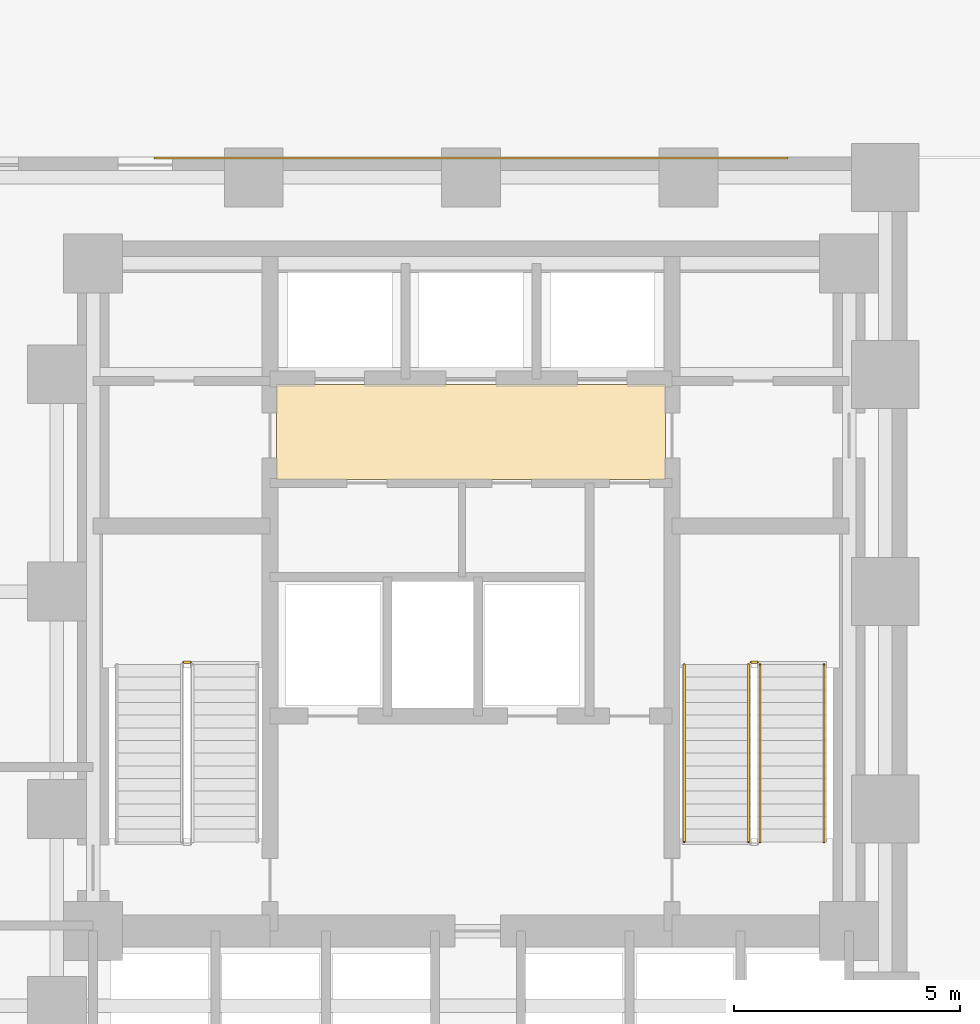
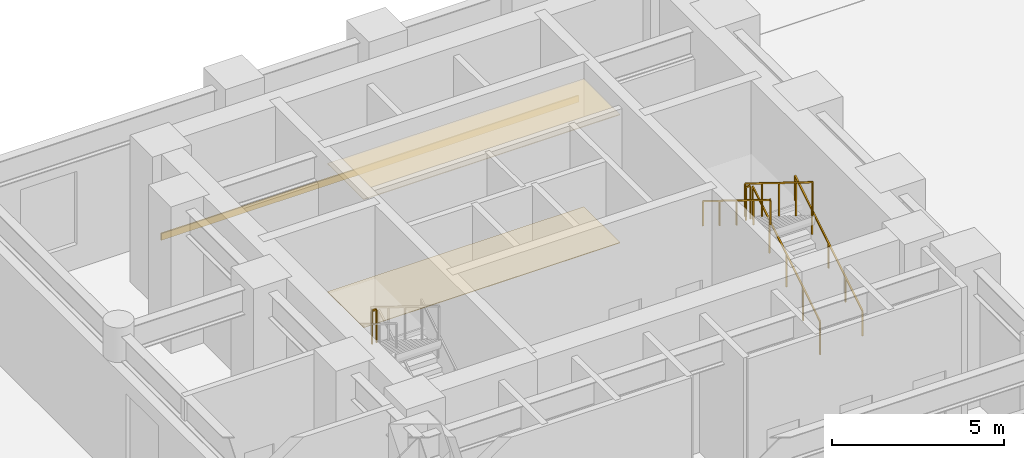
# One storey, part 14 of 16: 6 railings, 3 coverings.
"""IFC4 building model written with IfcOpenShell, lengths in metres."""

from ifc_helpers import new_model, si_unit, direction, frame, origin, origin_2d, place, context, subcontext, project, spatial, polyline, rectangle, outline, extrude, material, layer, layer_set, type_object, element, save


model = new_model("IFC4")

# Units and contexts
model_context = context("Model", 3, precision=1e-05, world=origin(), true_north=direction((0.0, 1.0)))
body_context = subcontext(model_context, "Body", "Model", "MODEL_VIEW")
ifc_project = project(units=[si_unit("LENGTHUNIT", "METRE"), si_unit("AREAUNIT", "SQUARE_METRE"), si_unit("VOLUMEUNIT", "CUBIC_METRE"), si_unit("PLANEANGLEUNIT", "RADIAN"), si_unit("MASSUNIT", "GRAM", prefix="KILO")], contexts=[model_context])

# Site, building, storey
site_placement = place(None, origin())
site = spatial("IfcSite", under=ifc_project, at=site_placement, CompositionType="ELEMENT")
building_placement = place(site_placement, origin())
building = spatial("IfcBuilding", under=site, at=building_placement, Name="Orvandelia Arch Residences", CompositionType="ELEMENT")
storey_placement = place(building_placement, origin())
storey = spatial("IfcBuildingStorey", under=building, at=storey_placement, Name="L00", CompositionType="ELEMENT", Elevation=0.0)

# Coverings
ifc_material_1 = material(Name="Perforated Acoustic Mineral-Fibre Ceiling")
ifc_layer_1 = layer(ifc_material_1, 0.02490234375, Name="Perforated Acoustic Mineral-Fibre Ceiling")
ifc_layer_set_1 = layer_set([ifc_layer_1], Name="Perforated Acoustic Mineral-Fibre Ceiling")
covering_type_1 = type_object("IfcCoveringType", Name="COV-CEIL-ACOUSTIC", PredefinedType="CEILING", material=ifc_layer_set_1)
covering_1_placement = place(storey_placement, frame((0.0, 0.0, 4.5400390625)))
element("IfcCovering", 1, at=covering_1_placement, inside=storey, type_object=covering_type_1, Name="Lift Hall Suspended Acoustic Ceiling L00", PredefinedType="CEILING", context=body_context, shape_type="SweptSolid", body=[
    extrude(outline(polyline([(10.10009765625, 40.8798828125), (18.699951171875, 40.8798828125), (18.699951171875, 42.97998046875), (10.10009765625, 42.97998046875), (10.10009765625, 40.8798828125)])), origin(), (0.0, 0.0, 1.0), 0.02490234375),
])
ifc_material_2 = material(Name="Honed Busan Granite Tile", Category="masonry")
ifc_layer_2 = layer(ifc_material_2, 0.02490234375, Name="Honed Busan Granite Tile", Category="masonry")
ifc_layer_set_2 = layer_set([ifc_layer_2], Name="Honed Busan Granite Tile")
covering_type_2 = type_object("IfcCoveringType", Name="COV-FLOOR-STONE", PredefinedType="SKIRTINGBOARD", material=ifc_layer_set_2)
covering_2_placement = place(storey_placement, origin())
element("IfcCovering", 2, at=covering_2_placement, inside=storey, type_object=covering_type_2, Name="Lift Hall Finish Flooring L00", PredefinedType="SKIRTINGBOARD", context=body_context, shape_type="SweptSolid", body=[
    extrude(outline(polyline([(10.10009765625, 40.8798828125), (18.699951171875, 40.8798828125), (18.699951171875, 42.97998046875), (10.10009765625, 42.97998046875), (10.10009765625, 40.8798828125)])), origin(), (0.0, 0.0, 1.0), 0.02001953125),
])
ifc_material_3 = material(Name="Coral-Limestone Architectural Cladding", Category="masonry")
ifc_layer_3 = layer(ifc_material_3, 0.044921875, Name="Coral-Limestone Architectural Cladding", Category="masonry")
ifc_layer_set_3 = layer_set([ifc_layer_3], Name="Coral-Limestone Architectural Cladding")
covering_type_3 = type_object("IfcCoveringType", Name="COV-STONE-CLAD", PredefinedType="CLADDING", material=ifc_layer_set_3)
covering_3_placement = place(storey_placement, frame((14.39990234375, 47.97509765625, -0.240234375), z_axis=(0.0, 0.0, 1.0), x_axis=(1.0, 0.0, 0.0)))
element("IfcCovering", 3, at=covering_3_placement, inside=storey, type_object=covering_type_3, Name="Coral-Limestone Slab-Edge Cladding Band L00", PredefinedType="CLADDING", context=body_context, shape_type="SweptSolid", body=[
    extrude(rectangle(XDim=14.0, YDim=0.044921875, at=origin_2d()), origin(), (0.0, 0.0, 1.0), 0.239990234375),
])

# Railings
ifc_material_4 = material(Name="Brushed Stainless Steel 304", Category="steel")
railing_type_1 = type_object("IfcRailingType", Name="RL-STAIR-GD1120", PredefinedType="GUARDRAIL", material=ifc_material_4)
railing_1_placement = place(storey_placement, frame((8.199951171875, 36.840087890625, 2.60009765625)))
element("IfcRailing", 4, at=railing_1_placement, inside=storey, type_object=railing_type_1, Name="L00 ST-1 stair guard 2", PredefinedType="GUARDRAIL", context=body_context, shape_type="SweptSolid", body=[
    extrude(rectangle(XDim=0.048095703125, YDim=0.048095703125, at=origin_2d()), frame((0.0, 0.0, 1.17578125), z_axis=(-1.0, 0.0, 0.0), x_axis=(0.0, -1.0, 0.0)), (0.0, 0.0, 1.0), 0.14990234375),
    extrude(rectangle(XDim=0.0419921875, YDim=0.0419921875, at=origin_2d()), origin(), (0.0, 0.0, 1.0), 1.15185546875),
    extrude(rectangle(XDim=0.0419921875, YDim=0.0419921875, at=origin_2d()), frame((-0.14990234375, 0.0, 0.0)), (0.0, 0.0, 1.0), 1.15185546875),
])
railing_2_placement = place(storey_placement, frame((20.780029296875, 32.8701171875, 0.17333984375)))
element("IfcRailing", 5, at=railing_2_placement, inside=storey, type_object=railing_type_1, Name="L00 ST-2 stair guard 1", PredefinedType="GUARDRAIL", context=body_context, shape_type="SweptSolid", body=[
    extrude(rectangle(XDim=0.048095703125, YDim=0.048095703125, at=origin_2d()), frame((0.0, 0.0, 1.17578125), z_axis=(0.0, 0.850251603719, 0.526376491091), x_axis=(-1.0, 0.0, 0.0)), (0.0, 0.0, 1.0), 4.6103515625),
    extrude(rectangle(XDim=0.0419921875, YDim=0.0419921875, at=origin_2d()), origin(), (0.0, 0.0, 1.0), 1.15185546875),
    extrude(rectangle(XDim=0.0419921875, YDim=0.0419921875, at=origin_2d()), frame((0.0, 0.97998046875, 0.606689453125)), (0.0, 0.0, 1.0), 1.15185546875),
    extrude(rectangle(XDim=0.0419921875, YDim=0.0419921875, at=origin_2d()), frame((0.0, 1.9599609375, 1.21337890625)), (0.0, 0.0, 1.0), 1.15185546875),
    extrude(rectangle(XDim=0.0419921875, YDim=0.0419921875, at=origin_2d()), frame((0.0, 2.93994140625, 1.820068359375)), (0.0, 0.0, 1.0), 1.15185546875),
    extrude(rectangle(XDim=0.0419921875, YDim=0.0419921875, at=origin_2d()), frame((0.0, 3.919921875, 2.4267578125)), (0.0, 0.0, 1.0), 1.15185546875),
])
railing_3_placement = place(storey_placement, frame((20.72998046875, 36.840087890625, 2.60009765625)))
element("IfcRailing", 6, at=railing_3_placement, inside=storey, type_object=railing_type_1, Name="L00 ST-2 stair guard 2", PredefinedType="GUARDRAIL", context=body_context, shape_type="SweptSolid", body=[
    extrude(rectangle(XDim=0.048095703125, YDim=0.048095703125, at=origin_2d()), frame((0.0, 0.0, 1.17578125), z_axis=(-1.0, 0.0, 0.0), x_axis=(0.0, -1.0, 0.0)), (0.0, 0.0, 1.0), 0.14990234375),
    extrude(rectangle(XDim=0.0419921875, YDim=0.0419921875, at=origin_2d()), origin(), (0.0, 0.0, 1.0), 1.15185546875),
    extrude(rectangle(XDim=0.0419921875, YDim=0.0419921875, at=origin_2d()), frame((-0.14990234375, 0.0, 0.0)), (0.0, 0.0, 1.0), 1.15185546875),
])
railing_4_placement = place(storey_placement, frame((20.530029296875, 36.7900390625, 2.7734375)))
element("IfcRailing", 7, at=railing_4_placement, inside=storey, type_object=railing_type_1, Name="L00 ST-2 stair guard 3", PredefinedType="GUARDRAIL", context=body_context, shape_type="SweptSolid", body=[
    extrude(rectangle(XDim=0.048095703125, YDim=0.048095703125, at=origin_2d()), frame((0.0, 0.0, 1.17578125), z_axis=(0.0, -0.850275303828, 0.526338206574), x_axis=(1.0, 0.0, 0.0)), (0.0, 0.0, 1.0), 4.610107421875),
    extrude(rectangle(XDim=0.0419921875, YDim=0.0419921875, at=origin_2d()), origin(), (0.0, 0.0, 1.0), 1.15185546875),
    extrude(rectangle(XDim=0.0419921875, YDim=0.0419921875, at=origin_2d()), frame((0.0, -0.97998046875, 0.606689453125)), (0.0, 0.0, 1.0), 1.15185546875),
    extrude(rectangle(XDim=0.0419921875, YDim=0.0419921875, at=origin_2d()), frame((0.0, -1.9599609375, 1.21337890625)), (0.0, 0.0, 1.0), 1.15185546875),
    extrude(rectangle(XDim=0.0419921875, YDim=0.0419921875, at=origin_2d()), frame((0.0, -2.93994140625, 1.81982421875)), (0.0, 0.0, 1.0), 1.15185546875),
    extrude(rectangle(XDim=0.0419921875, YDim=0.0419921875, at=origin_2d()), frame((0.0, -3.919921875, 2.426513671875)), (0.0, 0.0, 1.0), 1.15185546875),
])
railing_type_2 = type_object("IfcRailingType", Name="RL-STAIR-HR920", PredefinedType="HANDRAIL", material=ifc_material_4)
railing_5_placement = place(storey_placement, frame((22.199951171875, 32.8701171875, 0.3466796875)))
element("IfcRailing", 8, at=railing_5_placement, inside=storey, type_object=railing_type_2, Name="L00 ST-2 stair handrail 1", PredefinedType="HANDRAIL", context=body_context, shape_type="SweptSolid", body=[
    extrude(rectangle(XDim=0.048095703125, YDim=0.048095703125, at=origin_2d()), frame((0.0, 0.0, 0.8759765625), z_axis=(0.0, 0.850251603719, 0.526376491091), x_axis=(-1.0, 0.0, 0.0)), (0.0, 0.0, 1.0), 4.6103515625),
    extrude(rectangle(XDim=0.0419921875, YDim=0.0419921875, at=origin_2d()), origin(), (0.0, 0.0, 1.0), 0.851806640625),
    extrude(rectangle(XDim=0.0419921875, YDim=0.0419921875, at=origin_2d()), frame((0.0, 0.97998046875, 0.606689453125)), (0.0, 0.0, 1.0), 0.851806640625),
    extrude(rectangle(XDim=0.0419921875, YDim=0.0419921875, at=origin_2d()), frame((0.0, 1.9599609375, 1.21337890625)), (0.0, 0.0, 1.0), 0.851806640625),
    extrude(rectangle(XDim=0.0419921875, YDim=0.0419921875, at=origin_2d()), frame((0.0, 2.93994140625, 1.820068359375)), (0.0, 0.0, 1.0), 0.851806640625),
    extrude(rectangle(XDim=0.0419921875, YDim=0.0419921875, at=origin_2d()), frame((0.0, 3.919921875, 2.4267578125)), (0.0, 0.0, 1.0), 0.851806640625),
])
railing_6_placement = place(storey_placement, frame((19.110107421875, 36.7900390625, 2.94677734375)))
element("IfcRailing", 9, at=railing_6_placement, inside=storey, type_object=railing_type_2, Name="L00 ST-2 stair handrail 2", PredefinedType="HANDRAIL", context=body_context, shape_type="SweptSolid", body=[
    extrude(rectangle(XDim=0.048095703125, YDim=0.048095703125, at=origin_2d()), frame((0.0, 0.0, 0.8759765625), z_axis=(0.0, -0.850275303828, 0.526338206574), x_axis=(1.0, 0.0, 0.0)), (0.0, 0.0, 1.0), 4.610107421875),
    extrude(rectangle(XDim=0.0419921875, YDim=0.0419921875, at=origin_2d()), origin(), (0.0, 0.0, 1.0), 0.851806640625),
    extrude(rectangle(XDim=0.0419921875, YDim=0.0419921875, at=origin_2d()), frame((0.0, -0.97998046875, 0.606689453125)), (0.0, 0.0, 1.0), 0.851806640625),
    extrude(rectangle(XDim=0.0419921875, YDim=0.0419921875, at=origin_2d()), frame((0.0, -1.9599609375, 1.21337890625)), (0.0, 0.0, 1.0), 0.851806640625),
    extrude(rectangle(XDim=0.0419921875, YDim=0.0419921875, at=origin_2d()), frame((0.0, -2.93994140625, 1.81982421875)), (0.0, 0.0, 1.0), 0.851806640625),
    extrude(rectangle(XDim=0.0419921875, YDim=0.0419921875, at=origin_2d()), frame((0.0, -3.919921875, 2.426513671875)), (0.0, 0.0, 1.0), 0.851806640625),
])

save(model, "model.ifc")
